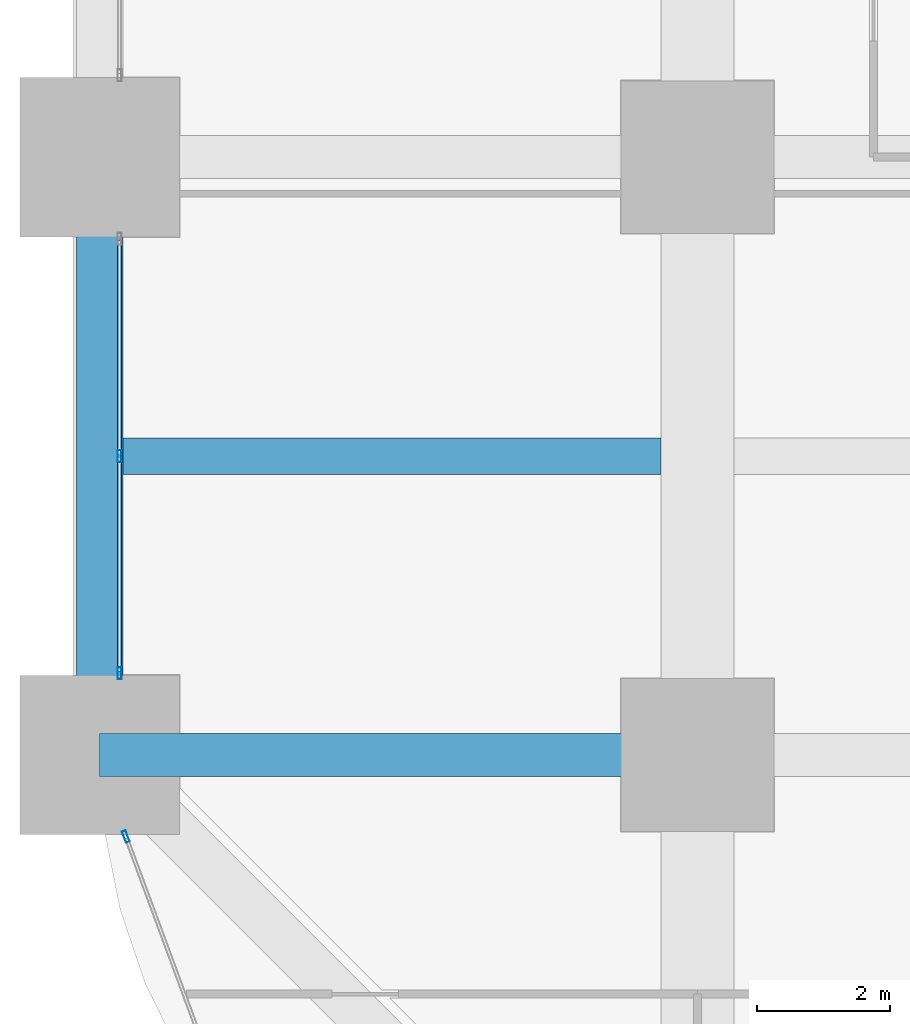
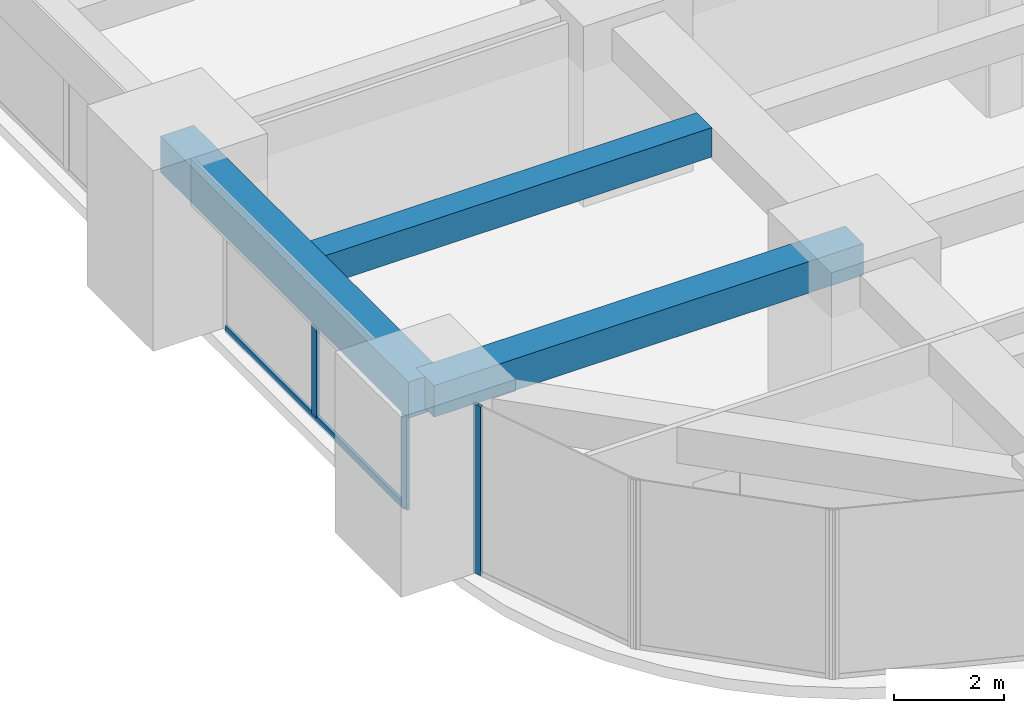
# One storey, part 4 of 44: 4 members, 3 beams, 2 elements without a shape of their own.
"""IFC4 building model written with IfcOpenShell, lengths in metres."""

from ifc_helpers import new_model, si_unit, direction, frame, origin, origin_2d, place, context, subcontext, project, spatial, rectangle, hollow_rectangle, extrude, material, material_profile, profile_set, type_object, element, aggregate, save


model = new_model("IFC4")

# Units and contexts
model_context = context("Model", 3, precision=1e-05, world=origin(), true_north=direction((0.0, 1.0)))
body_context = subcontext(model_context, "Body", "Model", "MODEL_VIEW")
ifc_project = project(units=[si_unit("LENGTHUNIT", "METRE"), si_unit("AREAUNIT", "SQUARE_METRE"), si_unit("VOLUMEUNIT", "CUBIC_METRE"), si_unit("PLANEANGLEUNIT", "RADIAN"), si_unit("MASSUNIT", "GRAM", prefix="KILO")], contexts=[model_context])

# Site, building, storey
site_placement = place(None, origin())
site = spatial("IfcSite", under=ifc_project, at=site_placement, CompositionType="ELEMENT")
building_placement = place(site_placement, origin())
building = spatial("IfcBuilding", under=site, at=building_placement, Name="Zorevar Civic Tower", CompositionType="ELEMENT")
storey_placement = place(building_placement, frame((0.0, 0.0, 43.800048828125)))
storey = spatial("IfcBuildingStorey", under=building, at=storey_placement, Name="L10", CompositionType="ELEMENT", Elevation=43.800048828125)

# Beams
ifc_material_1 = material(Name="Concrete C50/60", Category="concrete")
ifc_material_profile_1 = material_profile(ifc_material_1, rectangle(XDim=0.550048828125, YDim=0.64990234375, at=origin_2d()), Name="RC 550x650")
ifc_profile_set_1 = profile_set([ifc_material_profile_1], Name="Concrete C50/60")
beam_type_1 = type_object("IfcBeamType", Name="Beam RC 550x650", PredefinedType="BEAM", material=ifc_profile_set_1)
beam_1_placement = place(storey_placement, frame((0.35009765625, 13.5, 3.425048828125), z_axis=(1.0, 0.0, 0.0), x_axis=(0.0, 1.0, 0.0)))
element("IfcBeam", 1, at=beam_1_placement, inside=storey, type_object=beam_type_1, Name="Secondary beam L11", PredefinedType="BEAM", context=body_context, shape_type="SweptSolid", body=[
    extrude(rectangle(XDim=0.550048828125, YDim=0.64990234375, at=origin_2d()), origin(), (0.0, 0.0, 1.0), 8.099853515625),
])
ifc_material_2 = material(Name="Concrete C50/60", Category="concrete")
ifc_material_profile_2 = material_profile(ifc_material_2, rectangle(XDim=0.64990234375, YDim=0.699951171875, at=origin_2d()), Name="RC 650x700")
ifc_profile_set_2 = profile_set([ifc_material_profile_2], Name="Concrete C50/60")
beam_type_2 = type_object("IfcBeamType", Name="Beam RC 650x700", PredefinedType="BEAM", material=ifc_profile_set_2)
beam_2_placement = place(storey_placement, frame((0.0, 9.0, 3.39990234375), z_axis=(1.0, 0.0, 0.0), x_axis=(0.0, 1.0, 0.0)))
element("IfcBeam", 2, at=beam_2_placement, inside=storey, type_object=beam_type_2, Name="Girder L11", PredefinedType="BEAM", context=body_context, shape_type="SweptSolid", body=[
    extrude(rectangle(XDim=0.64990234375, YDim=0.699951171875, at=origin_2d()), origin(), (0.0, 0.0, 1.0), 9.0),
])

# Curtain wall, members
ifc_material_3 = material(Name="Dark grey solar-control glass in black aluminium frame", Category="aluminium")
curtain_wall_type = type_object("IfcCurtainWallType", Name="Curtain wall CW2 low zone", PredefinedType="NOTDEFINED", material=ifc_material_3)
curtain_wall_1_placement = place(storey_placement, origin())
curtain_wall_1 = element("IfcCurtainWall", 3, at=curtain_wall_1_placement, inside=storey, type_object=curtain_wall_type, Name="CW2 L10", PredefinedType="NOTDEFINED")
ifc_material_4 = material(Name="Aluminium, black anodised", Category="aluminium")
ifc_material_profile_3 = material_profile(ifc_material_4, hollow_rectangle(XDim=0.06005859375, YDim=0.179931640625, WallThickness=0.00390625, at=origin_2d()), Name="AL 180x60x4")
ifc_profile_set_3 = profile_set([ifc_material_profile_3], Name="Aluminium, black anodised")
member_type_1 = type_object("IfcMemberType", Name="CW2 mullion AL 180x60x4", PredefinedType="MULLION", material=ifc_profile_set_3)
member_1_placement = place(storey_placement, frame((0.300048828125, 10.22998046875, 0.0), z_axis=(0.0, 0.0, 1.0), x_axis=(-1.0, 0.0, 0.0)))
member_1 = element("IfcMember", 4, at=member_1_placement, type_object=member_type_1, Name="CW2 mullion 1", PredefinedType="MULLION", context=body_context, shape_type="SweptSolid", body=[
    extrude(hollow_rectangle(XDim=0.06005859375, YDim=0.179931640625, WallThickness=0.00390625, at=origin_2d()), origin(), (0.0, 0.0, 1.0), 2.949951171875),
])
member_2_placement = place(storey_placement, frame((0.300048828125, 13.5, 0.06005859375), z_axis=(0.0, 0.0, 1.0), x_axis=(-1.0, 0.0, 0.0)))
member_2 = element("IfcMember", 5, at=member_2_placement, type_object=member_type_1, Name="CW2 mullion 2", PredefinedType="MULLION", context=body_context, shape_type="SweptSolid", body=[
    extrude(hollow_rectangle(XDim=0.06005859375, YDim=0.179931640625, WallThickness=0.00390625, at=origin_2d()), origin(), (0.0, 0.0, 1.0), 2.889892578125),
])

# Curtain wall, member
curtain_wall_2_placement = place(storey_placement, origin())
curtain_wall_2 = element("IfcCurtainWall", 6, at=curtain_wall_2_placement, inside=storey, type_object=curtain_wall_type, Name="CW2 L10", PredefinedType="NOTDEFINED")
member_3_placement = place(storey_placement, frame((0.3935546875, 7.77197265625, 0.0), z_axis=(0.0, 0.0, 1.0), x_axis=(0.937974588163, 0.346704012033, 0.0)))
member_3 = element("IfcMember", 7, at=member_3_placement, type_object=member_type_1, Name="CW2 mullion 1", PredefinedType="MULLION", context=body_context, shape_type="SweptSolid", body=[
    extrude(hollow_rectangle(XDim=0.06005859375, YDim=0.179931640625, WallThickness=0.00390625, at=origin_2d()), origin(), (0.0, 0.0, 1.0), 3.75),
])
aggregate(curtain_wall_2, [member_3])

# Member
ifc_material_5 = material(Name="Aluminium, black anodised", Category="aluminium")
ifc_material_profile_4 = material_profile(ifc_material_5, hollow_rectangle(XDim=0.06005859375, YDim=0.14990234375, WallThickness=0.00390625, at=origin_2d()), Name="AL 150x60x4")
ifc_profile_set_4 = profile_set([ifc_material_profile_4], Name="Aluminium, black anodised")
member_type_2 = type_object("IfcMemberType", Name="CW2 transom AL 150x60x4", PredefinedType="USERDEFINED", material=ifc_profile_set_4)
member_4_placement = place(storey_placement, frame((0.300048828125, 10.260009765625, 0.030029296875), z_axis=(0.0, 1.0, 0.0), x_axis=(-1.0, 0.0, 0.0)))
member_4 = element("IfcMember", 8, at=member_4_placement, type_object=member_type_2, Name="CW2 sill transom", ObjectType="TRANSOM", PredefinedType="USERDEFINED", context=body_context, shape_type="SweptSolid", body=[
    extrude(hollow_rectangle(XDim=0.06005859375, YDim=0.14990234375, WallThickness=0.00390625, at=origin_2d()), origin(), (0.0, 0.0, 1.0), 6.47998046875),
])

aggregate(curtain_wall_1, [member_1, member_2, member_4])

# Beam
ifc_material_6 = material(Name="Concrete C50/60", Category="concrete")
ifc_material_profile_5 = material_profile(ifc_material_6, rectangle(XDim=0.699951171875, YDim=0.800048828125, at=origin_2d()), Name="RC 700x800")
ifc_profile_set_5 = profile_set([ifc_material_profile_5], Name="Concrete C50/60")
beam_type_3 = type_object("IfcBeamType", Name="Edge beam RC 700x800", PredefinedType="SPANDREL", material=ifc_profile_set_5)
beam_3_placement = place(storey_placement, frame((0.0, 9.0, 3.349853515625), z_axis=(0.0, 1.0, 0.0), x_axis=(-1.0, 0.0, 0.0)))
element("IfcBeam", 9, at=beam_3_placement, inside=storey, type_object=beam_type_3, Name="Edge beam L11", PredefinedType="SPANDREL", context=body_context, shape_type="SweptSolid", body=[
    extrude(rectangle(XDim=0.699951171875, YDim=0.800048828125, at=origin_2d()), origin(), (0.0, 0.0, 1.0), 9.0),
])

save(model, "model.ifc")
